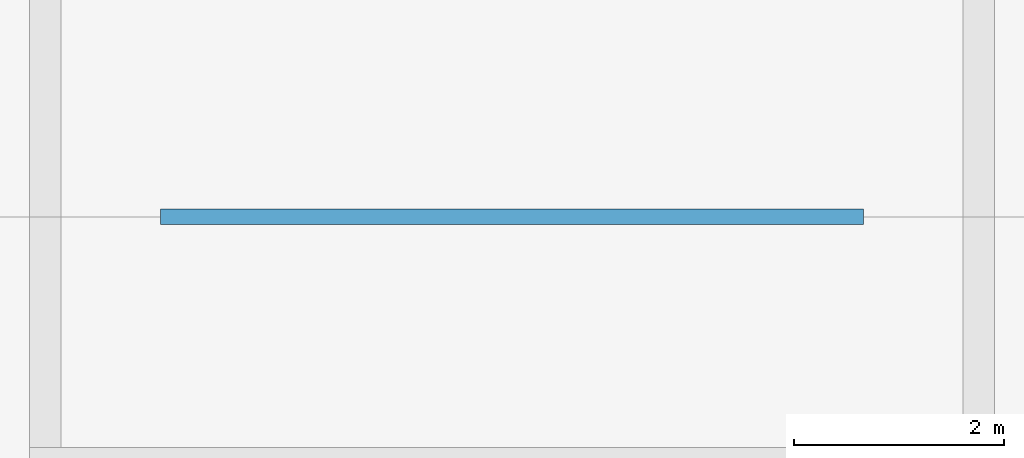
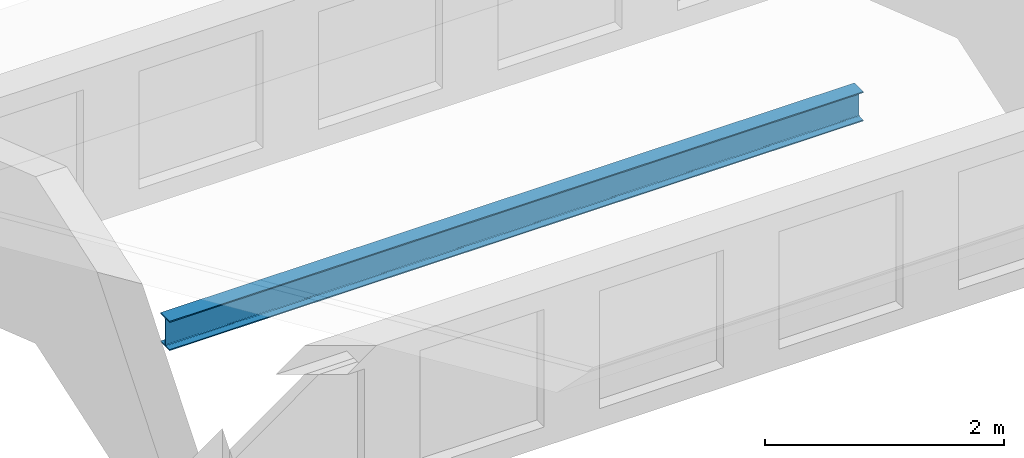
# One storey, part 6 of 70: 1 member.
"""IFC4 building model written with IfcOpenShell, lengths in metres."""

from ifc_helpers import new_model, si_unit, direction, frame, origin, origin_2d, place, context, subcontext, project, spatial, i_section, extrude, material, material_profile, profile_set, type_object, element, save


model = new_model("IFC4")

# Units and contexts
model_context = context("Model", 3, precision=1e-05, world=origin(), true_north=direction((0.0, 1.0)))
body_context = subcontext(model_context, "Body", "Model", "MODEL_VIEW")
ifc_project = project(units=[si_unit("LENGTHUNIT", "METRE"), si_unit("AREAUNIT", "SQUARE_METRE"), si_unit("VOLUMEUNIT", "CUBIC_METRE"), si_unit("PLANEANGLEUNIT", "RADIAN"), si_unit("MASSUNIT", "GRAM", prefix="KILO")], contexts=[model_context])

# Site, building, storey
site_placement = place(None, origin())
site = spatial("IfcSite", under=ifc_project, at=site_placement, CompositionType="ELEMENT")
building_placement = place(site_placement, origin())
building = spatial("IfcBuilding", under=site, at=building_placement, Name="Elbe Cascade School", CompositionType="ELEMENT")
storey_placement = place(building_placement, frame((0.0, 0.0, 8.10009765625)))
storey = spatial("IfcBuildingStorey", under=building, at=storey_placement, Name="L02", CompositionType="ELEMENT", Elevation=8.10009765625)

# Member
ifc_material = material(Name="Steel S355J2", Category="steel")
ifc_material_profile = material_profile(ifc_material, i_section(OverallWidth=0.14990234375, OverallDepth=0.300048828125, WebThickness=0.007080078125, FlangeThickness=0.0107421875, FilletRadius=0.014892578125, at=origin_2d()), Name="IPE 300")
ifc_profile_set = profile_set([ifc_material_profile], Name="Steel S355J2")
member_type = type_object("IfcMemberType", Name="Dining ridge beam IPE 300", PredefinedType="NOTDEFINED", material=ifc_profile_set)
member_placement = place(storey_placement, frame((47.64990234375, 24.35009765625, 2.55126953125), z_axis=(1.0, 0.0, 0.0), x_axis=(0.0, 1.0, 0.0)))
element("IfcMember", 1, at=member_placement, inside=storey, type_object=member_type, Name="Dining ridge beam IPE 300 M20", PredefinedType="NOTDEFINED", context=body_context, shape_type="SweptSolid", body=[
    extrude(i_section(OverallWidth=0.14990234375, OverallDepth=0.300048828125, WebThickness=0.007080078125, FlangeThickness=0.0107421875, FilletRadius=0.014892578125, at=origin_2d()), origin(), (0.0, 0.0, 1.0), 6.7001953125),
])

save(model, "model.ifc")
